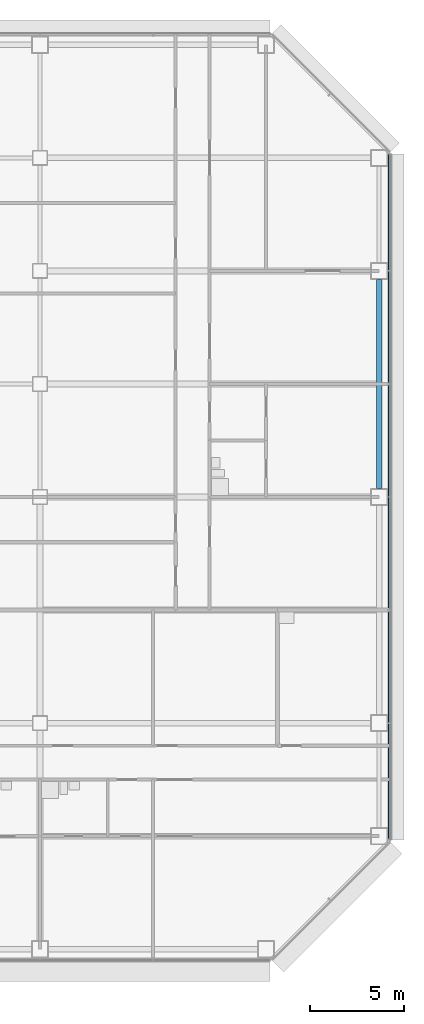
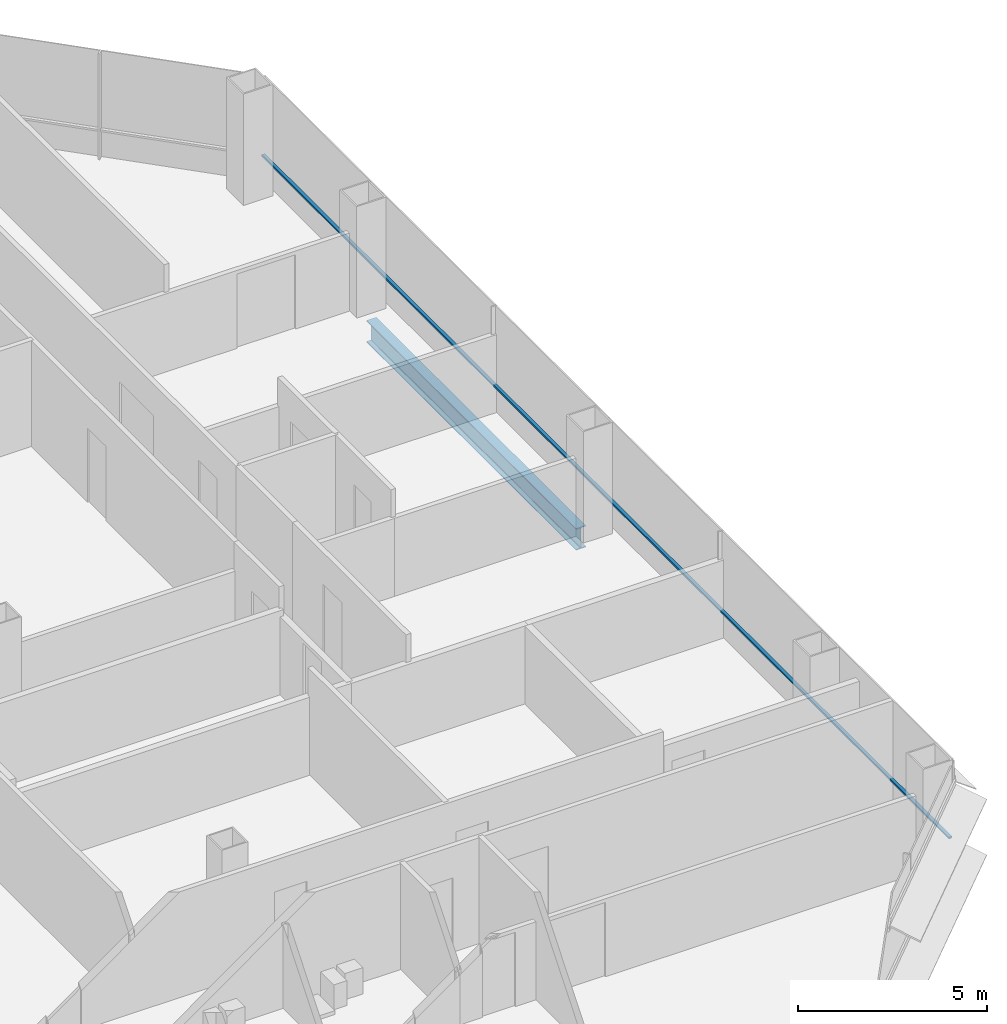
# One storey, part 17 of 27: 1 beam, 1 member, 1 element without a shape of its own.
"""IFC4 building model written with IfcOpenShell, lengths in metres."""

import ifcopenshell
import ifcopenshell.guid

model = None  # the IFC model being written
_history = None  # IfcOwnerHistory: only IFC2X3 demands one
_inside = {}  # id of a spatial element -> (the spatial element, [elements in it])
_under = {}  # id of a project, library or spatial element -> (it, [spatial elements below it])
_declared = {}  # id of a project -> (the project, [libraries it declares])
_typed = {}  # id of a type object -> (the type object, [elements of that type])
_made_of = {}  # id of a material, layer set ... -> (it, [elements and type objects made of it])


def new_model(schema):
    """Start an empty IFC model of exactly this schema.

    Asked for "IFC4X3", IfcOpenShell would pick the latest addendum, in which some entities
    have other attributes; the version numbers below select the first issue.
    IFC2X3 requires an IfcOwnerHistory on every rooted entity: one is made here for all.
    """
    global model, _history
    if schema == "IFC4X3":
        model = ifcopenshell.file(schema_version=(4, 3, 0, 0))
    else:
        model = ifcopenshell.file(schema=schema)
    _inside.clear()
    _under.clear()
    _declared.clear()
    _typed.clear()
    _made_of.clear()
    _history = None
    if model.schema == "IFC2X3":
        org = make("IfcOrganization", Name="unknown")
        user = make(
            "IfcPersonAndOrganization",
            ThePerson=make("IfcPerson", FamilyName="unknown"),
            TheOrganization=org,
        )
        app = make(
            "IfcApplication",
            ApplicationDeveloper=org,
            Version="unknown",
            ApplicationFullName="unknown",
            ApplicationIdentifier="unknown",
        )
        _history = make(
            "IfcOwnerHistory",
            OwningUser=user,
            OwningApplication=app,
            ChangeAction="ADDED",
            CreationDate=0,
        )
    return model


def make(cls, **values):
    """One entity of the class cls with the attributes given. An attribute that is None is left unset."""
    return model.create_entity(
        cls, **{name: value for name, value in values.items() if value is not None}
    )


def rooted(cls, **values):
    """An entity with a GlobalId (a new one), such as an element, a storey or a relation."""
    return make(cls, GlobalId=ifcopenshell.guid.new(), OwnerHistory=_history, **values)


def si_unit(unit_type, name, prefix=None):
    """IfcSIUnit, for example si_unit("LENGTHUNIT", "METRE", prefix="MILLI")."""
    return make("IfcSIUnit", UnitType=unit_type, Prefix=prefix, Name=name)


def assignment(units):
    """IfcUnitAssignment: the units of a project."""
    return None if units is None else make("IfcUnitAssignment", Units=units)


def point(xyz):
    """IfcCartesianPoint."""
    return None if xyz is None else make("IfcCartesianPoint", Coordinates=xyz)


def direction(xyz):
    """IfcDirection."""
    return None if xyz is None else make("IfcDirection", DirectionRatios=xyz)


def frame(location, z_axis=None, x_axis=None):
    """IfcAxis2Placement3D, a coordinate frame: its origin and axes. An axis left out is left unset."""
    return make(
        "IfcAxis2Placement3D",
        Location=point(location),
        Axis=direction(z_axis),
        RefDirection=direction(x_axis),
    )


def frame_2d(location, x_axis=None):
    """IfcAxis2Placement2D, a coordinate frame in the plane: its origin and x axis."""
    return make(
        "IfcAxis2Placement2D", Location=point(location), RefDirection=direction(x_axis)
    )


def origin():
    """The frame at (0, 0, 0) with its axes left unset."""
    return frame((0.0, 0.0, 0.0))


def origin_2d():
    """The frame at (0, 0) in the plane with its x axis left unset."""
    return frame_2d((0.0, 0.0))


def place(relative_to, where):
    """IfcLocalPlacement: puts the frame where relative to a parent placement (None: the world)."""
    return make(
        "IfcLocalPlacement", PlacementRelTo=relative_to, RelativePlacement=where
    )


def context(
    kind, dimensions, precision=None, world=None, true_north=None, identifier=None
):
    """IfcGeometricRepresentationContext, for example the 3D "Model" context."""
    return make(
        "IfcGeometricRepresentationContext",
        ContextIdentifier=identifier,
        ContextType=kind,
        CoordinateSpaceDimension=dimensions,
        Precision=precision,
        WorldCoordinateSystem=world,
        TrueNorth=true_north,
    )


def subcontext(parent, identifier, kind, view, scale=None):
    """IfcGeometricRepresentationSubContext, for example "Body" below "Model"."""
    return make(
        "IfcGeometricRepresentationSubContext",
        ContextIdentifier=identifier,
        ContextType=kind,
        ParentContext=parent,
        TargetScale=scale,
        TargetView=view,
    )


def project(units=None, contexts=None):
    """IfcProject with its units and contexts."""
    return rooted(
        "IfcProject",
        Name="project",
        RepresentationContexts=contexts,
        UnitsInContext=assignment(units),
    )


def spatial(cls, under=None, at=None, **own):
    """A site, building, storey or space (cls), placed at a placement, below another one or the project."""
    s = rooted(cls, ObjectPlacement=at, **own)
    if under is not None:
        _under.setdefault(under.id(), (under, []))[1].append(s)
    return s


def profile(cls, at=None, kind="AREA", **sizes):
    """A parametric profile (cls). Its sizes go by their IFC names, for example OverallWidth=200.0."""
    return make(cls, ProfileType=kind, Position=at, **sizes)


def rectangle(**sizes):
    """IfcRectangleProfileDef."""
    return profile("IfcRectangleProfileDef", **sizes)


def i_section(**sizes):
    """IfcIShapeProfileDef."""
    return profile("IfcIShapeProfileDef", **sizes)


def extrude(swept, where, along, depth):
    """IfcExtrudedAreaSolid: the profile swept, set in the frame where, extruded along a direction by depth."""
    return make(
        "IfcExtrudedAreaSolid",
        SweptArea=swept,
        Position=where,
        ExtrudedDirection=direction(along),
        Depth=depth,
    )


def shape(context_of_items, identifier, shape_type, items):
    """IfcShapeRepresentation: the items that make up one representation, for example the "Body"."""
    return make(
        "IfcShapeRepresentation",
        ContextOfItems=context_of_items,
        RepresentationIdentifier=identifier,
        RepresentationType=shape_type,
        Items=items,
    )


def material(Name=None, Category=None):
    """IfcMaterial."""
    return make("IfcMaterial", Name=Name, Category=Category)


def material_profile(
    of_material, cross_section, Name=None, Category=None, Priority=None
):
    """IfcMaterialProfile: a cross section and its material."""
    return make(
        "IfcMaterialProfile",
        Name=Name,
        Material=of_material,
        Profile=cross_section,
        Priority=Priority,
        Category=Category,
    )


def profile_set(profiles, Name=None, composite=None):
    """IfcMaterialProfileSet."""
    return make(
        "IfcMaterialProfileSet",
        Name=Name,
        MaterialProfiles=profiles,
        CompositeProfile=composite,
    )


def made_of(thing, what):
    """Note that an element or type object is made of a material, layer set ...; save() writes the relation."""
    if what is not None:
        _made_of.setdefault(what.id(), (what, []))[1].append(thing)
    return thing


def type_object(cls, material=None, **own):
    """A type object (cls), such as IfcWallType, which elements share."""
    return made_of(rooted(cls, **own), material)


def element(
    cls,
    number,
    at=None,
    inside=None,
    cuts=None,
    type_object=None,
    material=None,
    context=None,
    identifier="Body",
    shape_type=None,
    held_by="IfcProductDefinitionShape",
    body=None,
    shapes=None,
    **own,
):
    """One element of the class cls, such as IfcWall. Its Tag is "e" and its number.

    at: its placement. inside: the storey or other place that contains it. cuts: it is an
    opening in that element (IfcRelVoidsElement). A single representation is given by context,
    identifier, shape_type and body (its items); several are given by shapes. held_by: the class
    of the entity that holds the representations. save() writes the other relations.
    """
    e = rooted(cls, Tag="e%d" % number, ObjectPlacement=at, **own)
    if body is not None:
        shapes = [shape(context, identifier, shape_type, body)]
    if shapes is not None:
        e.Representation = make(held_by, Representations=shapes)
    if inside is not None:
        _inside.setdefault(inside.id(), (inside, []))[1].append(e)
    if cuts is not None:
        rooted(
            "IfcRelVoidsElement", RelatingBuildingElement=cuts, RelatedOpeningElement=e
        )
    if type_object is not None:
        _typed.setdefault(type_object.id(), (type_object, []))[1].append(e)
    return made_of(e, material)


def aggregate(whole, parts):
    """IfcRelAggregates: a whole, such as a stair, and the parts it consists of."""
    return rooted("IfcRelAggregates", RelatingObject=whole, RelatedObjects=parts)


def save(model, path):
    """Write the relations noted so far, then the file.

    IfcRelAggregates (storeys below a building ...), IfcRelContainedInSpatialStructure (elements
    in a storey), IfcRelDefinesByType, IfcRelAssociatesMaterial and IfcRelDeclares: one each for
    every whole, place, type object, material and project.
    """
    for whole, parts in _under.values():
        aggregate(whole, parts)
    for where, things in _inside.values():
        rooted(
            "IfcRelContainedInSpatialStructure",
            RelatedElements=things,
            RelatingStructure=where,
        )
    for kind, things in _typed.values():
        rooted("IfcRelDefinesByType", RelatedObjects=things, RelatingType=kind)
    for what, things in _made_of.values():
        rooted("IfcRelAssociatesMaterial", RelatedObjects=things, RelatingMaterial=what)
    for by, libraries in _declared.values():
        rooted("IfcRelDeclares", RelatingContext=by, RelatedDefinitions=libraries)
    model.write(path)


model = new_model("IFC4")

# Units and contexts
model_context = context("Model", 3, precision=1e-05, world=origin(), true_north=direction((0.0, 1.0)))
body_context = subcontext(model_context, "Body", "Model", "MODEL_VIEW")
ifc_project = project(units=[si_unit("LENGTHUNIT", "METRE"), si_unit("AREAUNIT", "SQUARE_METRE"), si_unit("VOLUMEUNIT", "CUBIC_METRE"), si_unit("PLANEANGLEUNIT", "RADIAN"), si_unit("MASSUNIT", "GRAM", prefix="KILO")], contexts=[model_context])

# Site, building, storey
site_placement = place(None, origin())
site = spatial("IfcSite", under=ifc_project, at=site_placement, CompositionType="ELEMENT")
building_placement = place(site_placement, origin())
building = spatial("IfcBuilding", under=site, at=building_placement, Name="Sorahane Residences", CompositionType="ELEMENT")
storey_placement = place(building_placement, frame((0.0, 0.0, 57.0)))
storey = spatial("IfcBuildingStorey", under=building, at=storey_placement, Name="L10", CompositionType="ELEMENT", Elevation=57.0)

# Curtain wall, member
ifc_material_1 = material(Name="Dark low-e glass and black anodised aluminium", Category="aluminium")
curtain_wall_type = type_object("IfcCurtainWallType", Name="Curtain wall CW-1 Typical unitised wall", PredefinedType="NOTDEFINED", material=ifc_material_1)
curtain_wall_placement = place(storey_placement, origin())
curtain_wall = element("IfcCurtainWall", 1, at=curtain_wall_placement, inside=storey, type_object=curtain_wall_type, Name="CW-1 curtain wall L10 E1", PredefinedType="NOTDEFINED")
ifc_material_2 = material(Name="Black anodised aluminium", Category="aluminium")
ifc_material_profile_1 = material_profile(ifc_material_2, rectangle(XDim=0.10009765625, YDim=0.06005859375, at=origin_2d()), Name="Curtain wall transom CW-1 black anodised aluminium 60x100")
ifc_profile_set_1 = profile_set([ifc_material_profile_1], Name="Black anodised aluminium")
member_type = type_object("IfcMemberType", Name="Curtain wall transom CW-1 black anodised aluminium 60x100", PredefinedType="USERDEFINED", material=ifc_profile_set_1)
member_placement = place(storey_placement, frame((66.530029296875, 5.801513671875, 0.89990234375), z_axis=(0.0, 1.0, 0.0), x_axis=(-1.0, 0.0, 0.0)))
member = element("IfcMember", 2, at=member_placement, type_object=member_type, Name="CW-1 transom L10 E1", ObjectType="TRANSOM", PredefinedType="USERDEFINED", context=body_context, shape_type="SweptSolid", body=[
    extrude(rectangle(XDim=0.10009765625, YDim=0.06005859375, at=origin_2d()), origin(), (0.0, 0.0, 1.0), 36.39697265625),
])
aggregate(curtain_wall, [member])

# Beam
ifc_material_3 = material(Name="Steel Q355B", Category="steel")
ifc_material_profile_2 = material_profile(ifc_material_3, i_section(OverallWidth=0.300048828125, OverallDepth=0.699951171875, WebThickness=0.012939453125, FlangeThickness=0.02392578125, FilletRadius=0.028076171875, at=origin_2d()), Name="HN 700x300x13x24")
ifc_profile_set_2 = profile_set([ifc_material_profile_2], Name="Steel Q355B")
beam_type = type_object("IfcBeamType", Name="Steel floor beam HN 700x300x13x24 Q355B", PredefinedType="BEAM", material=ifc_profile_set_2)
beam_placement = place(storey_placement, frame((66.0, 24.449951171875, -0.530029296875), z_axis=(0.0, 1.0, 0.0), x_axis=(-1.0, 0.0, 0.0)))
element("IfcBeam", 3, at=beam_placement, inside=storey, type_object=beam_type, Name="Beam L10 059", PredefinedType="BEAM", context=body_context, shape_type="SweptSolid", body=[
    extrude(i_section(OverallWidth=0.300048828125, OverallDepth=0.699951171875, WebThickness=0.012939453125, FlangeThickness=0.02392578125, FilletRadius=0.028076171875, at=origin_2d()), origin(), (0.0, 0.0, 1.0), 11.10009765625),
])

save(model, "model.ifc")
